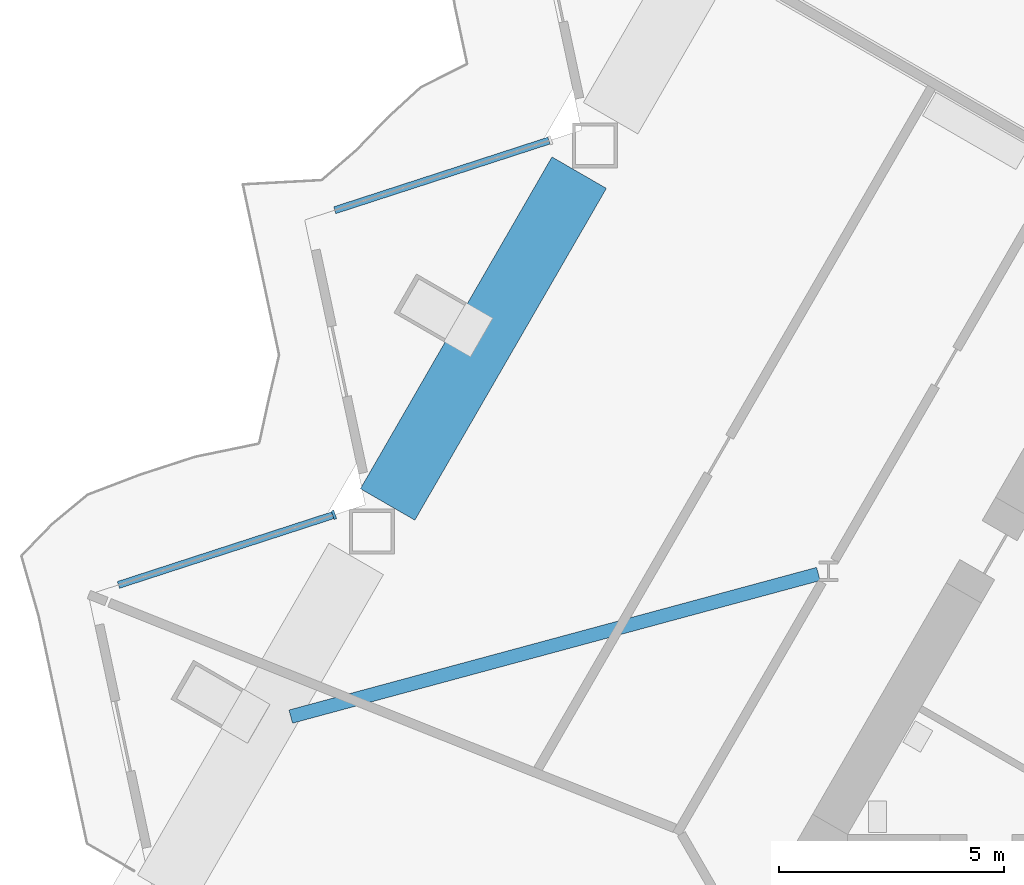
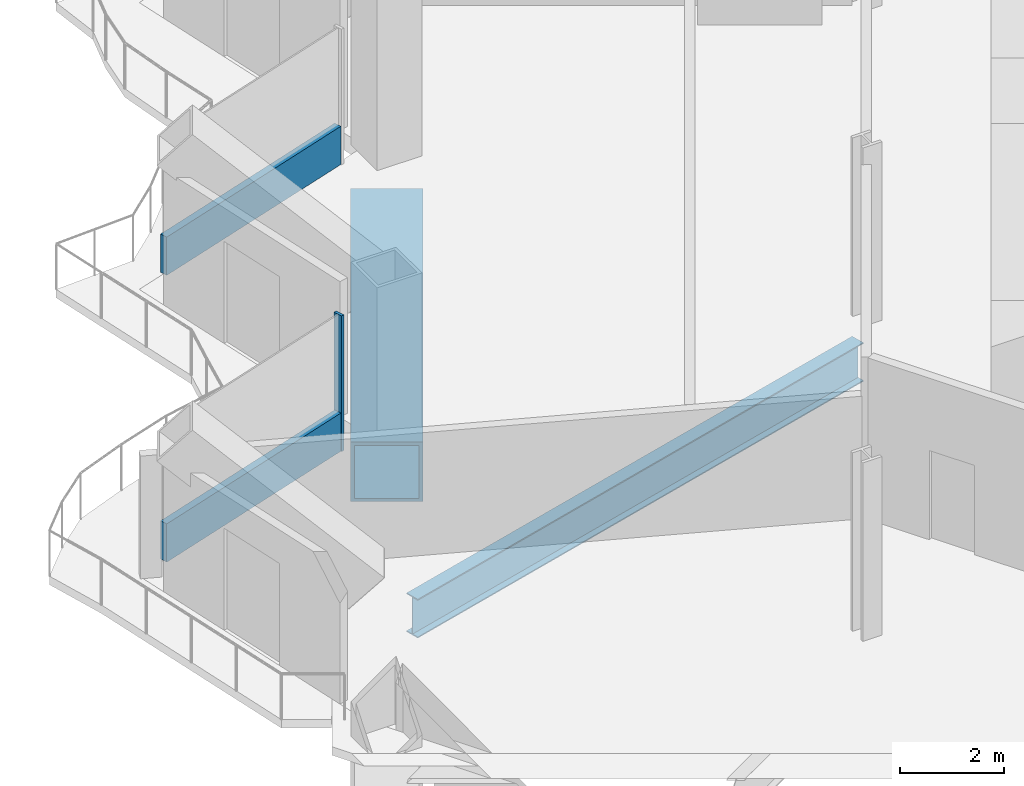
# One storey, part 3 of 22: 3 members, 2 beams, 2 elements without a shape of their own.
"""IFC4 building model written with IfcOpenShell, lengths in metres."""

from ifc_helpers import new_model, si_unit, direction, frame, origin, origin_2d, place, context, subcontext, project, spatial, rectangle, hollow_rectangle, i_section, extrude, material, layer, layer_set, material_profile, profile_set, type_object, element, aggregate, save


model = new_model("IFC4")

# Units and contexts
model_context = context("Model", 3, precision=1e-05, world=origin(), true_north=direction((0.0, 1.0)))
body_context = subcontext(model_context, "Body", "Model", "MODEL_VIEW")
ifc_project = project(units=[si_unit("LENGTHUNIT", "METRE"), si_unit("AREAUNIT", "SQUARE_METRE"), si_unit("VOLUMEUNIT", "CUBIC_METRE"), si_unit("PLANEANGLEUNIT", "RADIAN"), si_unit("MASSUNIT", "GRAM", prefix="KILO")], contexts=[model_context])

# Site, building, storey
site_placement = place(None, origin())
site = spatial("IfcSite", under=ifc_project, at=site_placement, CompositionType="ELEMENT")
building_placement = place(site_placement, origin())
building = spatial("IfcBuilding", under=site, at=building_placement, Name="Cormorant Prow Tower", CompositionType="ELEMENT")
storey_placement = place(building_placement, frame((0.0, 0.0, 30.0)))
storey = spatial("IfcBuildingStorey", under=building, at=storey_placement, Name="L05", CompositionType="ELEMENT", Elevation=30.0)

# Curtain wall, member
ifc_material_1 = material(Name="Aluminium 6063-T6", Category="aluminium")
ifc_layer = layer(ifc_material_1, 0.199951171875)
ifc_layer_set = layer_set([ifc_layer], Name="Aluminium 6063-T6")
curtain_wall_type = type_object("IfcCurtainWallType", Name="Office unitised curtain wall 200", PredefinedType="NOTDEFINED", material=ifc_layer_set)
curtain_wall_1_placement = place(storey_placement, origin())
curtain_wall_1 = element("IfcCurtainWall", 1, at=curtain_wall_1_placement, inside=storey, type_object=curtain_wall_type, Name="Office curtain wall WNW08", PredefinedType="NOTDEFINED")
ifc_material_2 = material(Name="Aluminium 6063-T6", Category="aluminium")
ifc_material_profile_1 = material_profile(ifc_material_2, rectangle(XDim=0.199951171875, YDim=0.06005859375, at=origin_2d()), Name="Office mullion 60x200")
ifc_profile_set_1 = profile_set([ifc_material_profile_1], Name="Aluminium 6063-T6")
member_type_1 = type_object("IfcMemberType", Name="Office mullion 60x200", PredefinedType="MULLION", material=ifc_profile_set_1)
member_1_placement = place(storey_placement, frame((-26.879638671875, -1.798583984375, 0.0), z_axis=(0.0, 0.0, 1.0), x_axis=(0.309017026162, -0.951056505967, 0.0)))
member_1 = element("IfcMember", 2, at=member_1_placement, type_object=member_type_1, Name="Office mullion WNW08", PredefinedType="MULLION", context=body_context, shape_type="SweptSolid", body=[
    extrude(rectangle(XDim=0.199951171875, YDim=0.06005859375, at=origin_2d()), origin(), (0.0, 0.0, 1.0), 3.18896484375),
])

curtain_wall_2_placement = place(storey_placement, origin())
curtain_wall_2 = element("IfcCurtainWall", 3, at=curtain_wall_2_placement, inside=storey, type_object=curtain_wall_type, Name="Office curtain wall WNW06", PredefinedType="NOTDEFINED")
ifc_material_3 = material(Name="Terracotta", Category="masonry")
ifc_material_profile_2 = material_profile(ifc_material_3, rectangle(XDim=0.159912109375, YDim=0.89990234375, at=origin_2d()), Name="Office terracotta spandrel rail 160x900")
ifc_profile_set_2 = profile_set([ifc_material_profile_2], Name="Terracotta")
member_type_2 = type_object("IfcMemberType", Name="Office terracotta spandrel rail 160x900", PredefinedType="USERDEFINED", material=ifc_profile_set_2)
member_2_placement = place(storey_placement, frame((-22.090576171875, 6.536376953125, 0.449951171875), z_axis=(-0.951050518976, -0.309035451617, 0.0), x_axis=(0.309035451617, -0.951050518976, 0.0)))
member_2 = element("IfcMember", 4, at=member_2_placement, type_object=member_type_2, Name="Office spandrel rail WNW06", ObjectType="TRANSOM", PredefinedType="USERDEFINED", context=body_context, shape_type="SweptSolid", body=[
    extrude(rectangle(XDim=0.159912109375, YDim=0.89990234375, at=origin_2d()), origin(), (0.0, 0.0, 1.0), 5.0166015625),
])
aggregate(curtain_wall_2, [member_2])

# Member
member_3_placement = place(storey_placement, frame((-26.908203125, -1.807861328125, 0.449951171875), z_axis=(-0.951050518976, -0.309035451617, 0.0), x_axis=(0.309035451617, -0.951050518976, 0.0)))
member_3 = element("IfcMember", 5, at=member_3_placement, type_object=member_type_2, Name="Office spandrel rail WNW08", ObjectType="TRANSOM", PredefinedType="USERDEFINED", context=body_context, shape_type="SweptSolid", body=[
    extrude(rectangle(XDim=0.159912109375, YDim=0.89990234375, at=origin_2d()), origin(), (0.0, 0.0, 1.0), 5.0166015625),
])

aggregate(curtain_wall_1, [member_1, member_3])

# Beams
ifc_material_4 = material(Name="Structural steel ASTM A992 Gr 50", Category="steel")
ifc_material_profile_3 = material_profile(ifc_material_4, i_section(OverallWidth=0.3046875, OverallDepth=0.914794921875, WebThickness=0.0166015625, FlangeThickness=0.02587890625, at=origin_2d()), Name="W36x160")
ifc_profile_set_3 = profile_set([ifc_material_profile_3], Name="Structural steel ASTM A992 Gr 50")
beam_type_1 = type_object("IfcBeamType", Name="Radial floor beam W36x160", PredefinedType="BEAM", material=ifc_profile_set_3)
beam_1_placement = place(storey_placement, frame((-16.092041015625, -3.1142578125, -0.857421875), z_axis=(-0.965352058429, -0.260950959545, 0.0), x_axis=(0.260950959545, -0.965352058429, 0.0)))
element("IfcBeam", 6, at=beam_1_placement, inside=storey, type_object=beam_type_1, Name="Radial floor beam FB1 4 L05", PredefinedType="BEAM", context=body_context, shape_type="SweptSolid", body=[
    extrude(i_section(OverallWidth=0.3046875, OverallDepth=0.914794921875, WebThickness=0.0166015625, FlangeThickness=0.02587890625, at=origin_2d()), origin(), (0.0, 0.0, 1.0), 12.1708984375),
])
ifc_material_5 = material(Name="Structural steel ASTM A572 Gr 50", Category="steel")
ifc_material_profile_4 = material_profile(ifc_material_5, hollow_rectangle(XDim=1.39990234375, YDim=1.39990234375, WallThickness=0.080078125, at=origin_2d()), Name="Box 1400x1400x80")
ifc_profile_set_4 = profile_set([ifc_material_profile_4], Name="Structural steel ASTM A572 Gr 50")
beam_type_2 = type_object("IfcBeamType", Name="Transfer girder 1400x1400x80", PredefinedType="BEAM", material=ifc_profile_set_4)
beam_2_placement = place(storey_placement, frame((-21.41796875, 5.822998046875, -1.10009765625), z_axis=(-0.49997675259, -0.866038825267, 0.0), x_axis=(0.866038825267, -0.49997675259, 0.0)))
element("IfcBeam", 7, at=beam_2_placement, inside=storey, type_object=beam_type_2, Name="Transfer girder TG1 WNW06-WNW08 L05", PredefinedType="BEAM", context=body_context, shape_type="SweptSolid", body=[
    extrude(hollow_rectangle(XDim=1.39990234375, YDim=1.39990234375, WallThickness=0.080078125, at=origin_2d()), origin(), (0.0, 0.0, 1.0), 8.5322265625),
])

save(model, "model.ifc")
